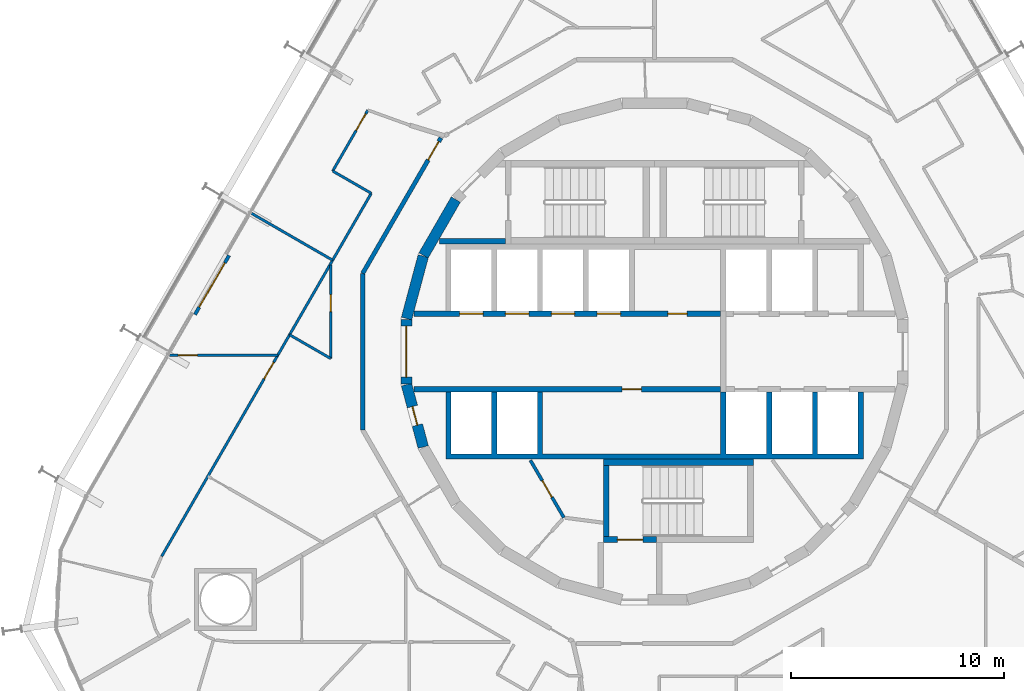
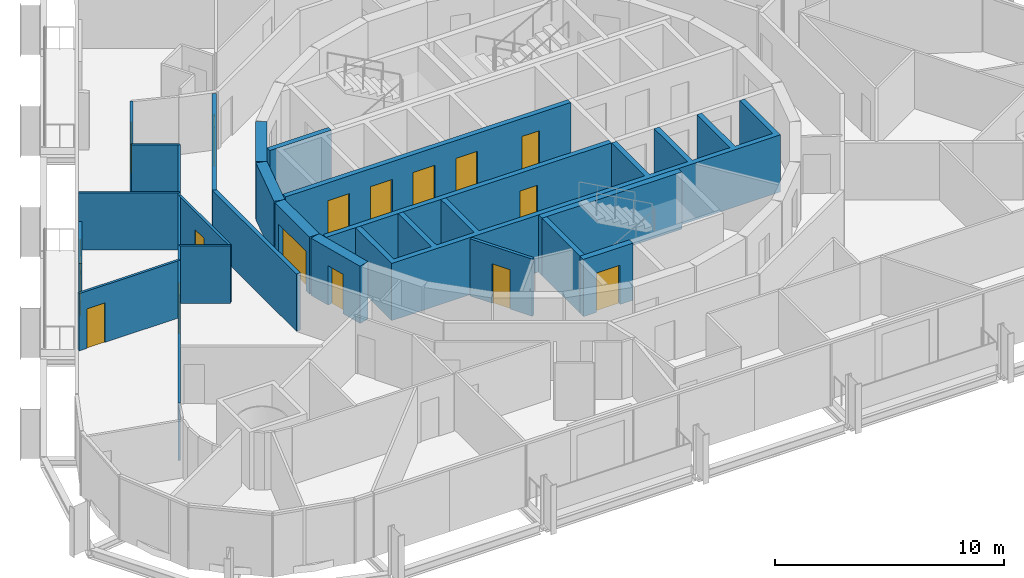
# One storey, part 14 of 20: 23 walls, 16 doors, 16 openings.
"""IFC4 building model written with IfcOpenShell, lengths in metres."""

from ifc_helpers import new_model, si_unit, direction, frame, frame_2d, origin, place, context, subcontext, project, spatial, polyline, rectangle, outline, extrude, material, layer, layer_set, type_object, element, fill, save


model = new_model("IFC4")

# Units and contexts
model_context = context("Model", 3, precision=1e-05, world=origin(), true_north=direction((0.0, 1.0)))
body_context = subcontext(model_context, "Body", "Model", "MODEL_VIEW")
ifc_project = project(units=[si_unit("LENGTHUNIT", "METRE"), si_unit("AREAUNIT", "SQUARE_METRE"), si_unit("VOLUMEUNIT", "CUBIC_METRE"), si_unit("PLANEANGLEUNIT", "RADIAN"), si_unit("MASSUNIT", "GRAM", prefix="KILO")], contexts=[model_context])

# Site, building, storey
site_placement = place(None, origin())
site = spatial("IfcSite", under=ifc_project, at=site_placement, CompositionType="ELEMENT")
building_placement = place(site_placement, origin())
building = spatial("IfcBuilding", under=site, at=building_placement, Name="Spindle Arch Residences", CompositionType="ELEMENT")
storey_placement = place(building_placement, frame((0.0, 0.0, 66.39990234375)))
storey = spatial("IfcBuildingStorey", under=building, at=storey_placement, Name="L15", CompositionType="ELEMENT", Elevation=66.39990234375)

# Walls
ifc_material_1 = material(Name="Concrete C50/60", Category="concrete")
ifc_layer_1 = layer(ifc_material_1, 0.5)
ifc_layer_set_1 = layer_set([ifc_layer_1], Name="Core outline wall 500")
wall_type_1 = type_object("IfcWallType", Name="Core outline wall 500", PredefinedType="SHEAR", material=ifc_layer_set_1)
for number, where, z_axis, x_axis, name in (
    (1, (-9.32861328125, 7.13671875, 0.0), (0.0, 0.0, 1.0), (-0.500087131594, -0.865975092491, 0.0), "Core outline wall 16"),
    (2, (-10.858154296875, 4.479248046875, 0.0), (0.0, 0.0, 1.0), (-0.258734743916, -0.965948410781, 0.0), "Core outline wall 17"),
):
    element("IfcWall", number, at=place(storey_placement, frame(where, z_axis=z_axis, x_axis=x_axis)), inside=storey, type_object=wall_type_1, Name=name, PredefinedType="SHEAR", context=body_context, shape_type="SweptSolid", body=[
        extrude(rectangle(XDim=3.03271484375, YDim=0.5, at=frame_2d((1.516357421875, 0.0))), origin(), (0.0, 0.0, 1.0), 3.050048828125),
    ])

# Wall, opening, door
wall_1_placement = place(storey_placement, frame((-11.647216796875, 1.516357421875, 0.0), z_axis=(0.0, 0.0, 1.0), x_axis=(0.0, -1.0, 0.0)))
wall_1 = element("IfcWall", 3, at=wall_1_placement, inside=storey, type_object=wall_type_1, Name="Core outline wall 18", PredefinedType="SHEAR", context=body_context, shape_type="SweptSolid", body=[
    extrude(rectangle(XDim=3.03271484375, YDim=0.5, at=frame_2d((1.516357421875, 0.0))), origin(), (0.0, 0.0, 1.0), 3.050048828125),
])
opening_1_placement = place(wall_1_placement, frame((0.31640625, 0.0, 0.0)))
opening_1 = element("IfcOpeningElement", 4, at=opening_1_placement, cuts=wall_1, Name="Opening R1C0-LE01", PredefinedType="OPENING", context=body_context, shape_type="SweptSolid", body=[
    extrude(rectangle(XDim=2.39990234375, YDim=2.10009765625, at=frame_2d((1.199951171875, 1.050048828125))), frame((0.0, 0.260009765625, 0.0), z_axis=(0.0, -1.0, 0.0), x_axis=(1.0, 0.0, 0.0)), (0.0, 0.0, 1.0), 0.52001953125),
])
ifc_material_2 = material(Name="Steel, fire-resisting door", Category="steel")
door_type_1 = type_object("IfcDoorType", Name="Lift lobby entrance door 2400x2100", OperationType="DOUBLE_DOOR_SINGLE_SWING", PredefinedType="DOOR", material=ifc_material_2)
door_1_placement = place(opening_1_placement, origin())
door_1 = element("IfcDoor", 5, at=door_1_placement, inside=storey, type_object=door_type_1, Name="Lift lobby entrance door R1C0-LE01", OperationType="DOUBLE_DOOR_SINGLE_SWING", OverallHeight=2.10009765625, OverallWidth=2.39990234375, PredefinedType="DOOR", context=body_context, shape_type="SweptSolid", body=[
    extrude(rectangle(XDim=2.39990234375, YDim=2.10009765625, at=frame_2d((1.199951171875, 1.050048828125))), frame((0.0, 0.02490234375, 0.0), z_axis=(0.0, -1.0, 0.0), x_axis=(1.0, 0.0, 0.0)), (0.0, 0.0, 1.0), 0.050048828125),
])
fill(opening_1, door_1)

wall_2_placement = place(storey_placement, frame((-11.642822265625, -1.5498046875, 0.0), z_axis=(0.0, 0.0, 1.0), x_axis=(0.258734743916, -0.965948410781, 0.0)))
wall_2 = element("IfcWall", 6, at=wall_2_placement, inside=storey, type_object=wall_type_1, Name="Core outline wall 19", PredefinedType="SHEAR", context=body_context, shape_type="SweptSolid", body=[
    extrude(rectangle(XDim=3.03271484375, YDim=0.5, at=frame_2d((1.516357421875, 0.0))), origin(), (0.0, 0.0, 1.0), 3.050048828125),
])
opening_2_placement = place(wall_2_placement, frame((1.06640625, 0.0, 0.0)))
opening_2 = element("IfcOpeningElement", 7, at=opening_2_placement, cuts=wall_2, Name="Opening R1C0-WD08", PredefinedType="OPENING", context=body_context, shape_type="SweptSolid", body=[
    extrude(rectangle(XDim=0.89990234375, YDim=2.10009765625, at=frame_2d((0.449951171875, 1.050048828125))), frame((0.0, 0.260009765625, 0.0), z_axis=(0.0, -1.0, 0.0), x_axis=(1.0, 0.0, 0.0)), (0.0, 0.0, 1.0), 0.52001953125),
])
ifc_material_3 = material(Name="Steel, fire-resisting door", Category="steel")
door_type_2 = type_object("IfcDoorType", Name="Service room door 900x2100", OperationType="SINGLE_SWING_LEFT", PredefinedType="DOOR", material=ifc_material_3)
door_2_placement = place(opening_2_placement, origin())
door_2 = element("IfcDoor", 8, at=door_2_placement, inside=storey, type_object=door_type_2, Name="Service room door R1C0-WD08", OperationType="SINGLE_SWING_LEFT", OverallHeight=2.10009765625, OverallWidth=0.89990234375, PredefinedType="DOOR", context=body_context, shape_type="SweptSolid", body=[
    extrude(rectangle(XDim=0.89990234375, YDim=2.10009765625, at=frame_2d((0.449951171875, 1.050048828125))), frame((0.0, 0.02490234375, 0.0), z_axis=(0.0, -1.0, 0.0), x_axis=(1.0, 0.0, 0.0)), (0.0, 0.0, 1.0), 0.050048828125),
])
fill(opening_2, door_2)

ifc_material_4 = material(Name="Calcium silicate block, plastered")
ifc_layer_2 = layer(ifc_material_4, 0.199951171875)
ifc_layer_set_2 = layer_set([ifc_layer_2], Name="Corridor wall 200")
wall_type_2 = type_object("IfcWallType", Name="Corridor wall 200", PredefinedType="STANDARD", material=ifc_layer_set_2)
wall_3_placement = place(storey_placement, frame((-10.029052734375, 10.029052734375, 0.0), z_axis=(0.0, 0.0, 1.0), x_axis=(-0.500001669485, -0.866024439905, 0.0)))
wall_3 = element("IfcWall", 9, at=wall_3_placement, inside=storey, type_object=wall_type_2, Name="Corridor wall R1C0-W010", PredefinedType="STANDARD", context=body_context, shape_type="SweptSolid", body=[
    extrude(rectangle(XDim=7.341796875, YDim=0.199951171875, at=frame_2d((3.6708984375, 0.0))), origin(), (0.0, 0.0, 1.0), 3.050048828125),
])
opening_3_placement = place(wall_3_placement, frame((0.199951171875, 0.0, 0.0)))
opening_3 = element("IfcOpeningElement", 10, at=opening_3_placement, cuts=wall_3, Name="Opening R1C0-FD03", PredefinedType="OPENING", context=body_context, shape_type="SweptSolid", body=[
    extrude(rectangle(XDim=1.0, YDim=2.10009765625, at=frame_2d((0.5, 1.050048828125))), frame((0.0, 0.10986328125, 0.0), z_axis=(0.0, -1.0, 0.0), x_axis=(1.0, 0.0, 0.0)), (0.0, 0.0, 1.0), 0.219970703125),
])
ifc_material_5 = material(Name="Timber, fire-resisting door set", Category="wood")
door_type_3 = type_object("IfcDoorType", Name="Flat entrance door 1000x2100", OperationType="NOTDEFINED", PredefinedType="DOOR", material=ifc_material_5)
door_3_placement = place(opening_3_placement, origin())
door_3 = element("IfcDoor", 11, at=door_3_placement, inside=storey, type_object=door_type_3, Name="Flat entrance door R1C0-FD03", OperationType="SINGLE_SWING_LEFT", OverallHeight=2.10009765625, OverallWidth=1.0, PredefinedType="DOOR", context=body_context, shape_type="SweptSolid", body=[
    extrude(rectangle(XDim=1.0, YDim=2.10009765625, at=frame_2d((0.5, 1.050048828125))), frame((0.0, 0.02490234375, 0.0), z_axis=(0.0, -1.0, 0.0), x_axis=(1.0, 0.0, 0.0)), (0.0, 0.0, 1.0), 0.050048828125),
])
fill(opening_3, door_3)

# Wall
wall_4_placement = place(storey_placement, frame((-13.699951171875, 3.6708984375, 0.0), z_axis=(0.0, 0.0, 1.0), x_axis=(0.0, -1.0, 0.0)))
element("IfcWall", 12, at=wall_4_placement, inside=storey, type_object=wall_type_2, Name="Corridor wall R1C0-W011", PredefinedType="STANDARD", context=body_context, shape_type="SweptSolid", body=[
    extrude(rectangle(XDim=7.341796875, YDim=0.199951171875, at=frame_2d((3.6708984375, 0.0))), origin(), (0.0, 0.0, 1.0), 3.050048828125),
])

# Wall, opening, door
ifc_material_6 = material(Name="Plasterboard on steel studs", Category="steel")
ifc_layer_3 = layer(ifc_material_6, 0.1201171875)
ifc_layer_set_3 = layer_set([ifc_layer_3], Name="Flat partition 120")
wall_type_3 = type_object("IfcWallType", Name="Flat partition 120", PredefinedType="PARTITIONING", material=ifc_layer_set_3)
wall_5_placement = place(storey_placement, frame((-13.45654296875, 11.33154296875, 0.0), z_axis=(0.0, 0.0, 1.0), x_axis=(-0.499974350878, -0.866040211805, 0.0)))
wall_5 = element("IfcWall", 13, at=wall_5_placement, inside=storey, type_object=wall_type_3, Name="Flat partition R1C0-W064", PredefinedType="PARTITIONING", context=body_context, shape_type="SweptSolid", body=[
    extrude(rectangle(XDim=3.300048828125, YDim=0.1201171875, at=frame_2d((1.64990234375, 0.0))), origin(), (0.0, 0.0, 1.0), 3.050048828125),
])
opening_4_placement = place(wall_5_placement, frame((0.199951171875, 0.0, 0.0)))
opening_4 = element("IfcOpeningElement", 14, at=opening_4_placement, cuts=wall_5, Name="Opening R1C0-ID12", PredefinedType="OPENING", context=body_context, shape_type="SweptSolid", body=[
    extrude(rectangle(XDim=0.89990234375, YDim=2.10009765625, at=frame_2d((0.449951171875, 1.050048828125))), frame((0.0, 0.070068359375, 0.0), z_axis=(0.0, -1.0, 0.0), x_axis=(1.0, 0.0, 0.0)), (0.0, 0.0, 1.0), 0.14013671875),
])
ifc_material_7 = material(Name="Timber door set", Category="wood")
door_type_4 = type_object("IfcDoorType", Name="Room door 900x2100", OperationType="NOTDEFINED", PredefinedType="DOOR", material=ifc_material_7)
door_4_placement = place(opening_4_placement, origin())
door_4 = element("IfcDoor", 15, at=door_4_placement, inside=storey, type_object=door_type_4, Name="Room door R1C0-ID12", OperationType="SINGLE_SWING_LEFT", OverallHeight=2.10009765625, OverallWidth=0.89990234375, PredefinedType="DOOR", context=body_context, shape_type="SweptSolid", body=[
    extrude(rectangle(XDim=0.89990234375, YDim=2.10009765625, at=frame_2d((0.449951171875, 1.050048828125))), frame((0.0, 0.02490234375, 0.0), z_axis=(0.0, -1.0, 0.0), x_axis=(1.0, 0.0, 0.0)), (0.0, 0.0, 1.0), 0.050048828125),
])
fill(opening_4, door_4)

# Walls
wall_6_placement = place(storey_placement, frame((-15.1064453125, 8.4736328125, 0.0), z_axis=(0.0, 0.0, 1.0), x_axis=(0.866041603473, -0.499971940267, 0.0)))
element("IfcWall", 16, at=wall_6_placement, inside=storey, type_object=wall_type_3, Name="Flat partition R1C0-W065", PredefinedType="PARTITIONING", context=body_context, shape_type="SweptSolid", body=[
    extrude(rectangle(XDim=2.08935546875, YDim=0.1201171875, at=frame_2d((1.044677734375, 0.0))), origin(), (0.0, 0.0, 1.0), 3.050048828125),
])
wall_7_placement = place(storey_placement, frame((-13.296875, 7.428955078125, 0.0), z_axis=(0.0, 0.0, 1.0), x_axis=(-0.49999903102, -0.866025963225, 0.0)))
element("IfcWall", 17, at=wall_7_placement, inside=storey, type_object=wall_type_3, Name="Flat partition R1C0-W066", PredefinedType="PARTITIONING", context=body_context, shape_type="SweptSolid", body=[
    extrude(rectangle(XDim=7.66650390625, YDim=0.1201171875, at=frame_2d((3.833251953125, 0.0))), origin(), (0.0, 0.0, 1.0), 3.050048828125),
])

# Wall, opening, door
wall_8_placement = place(storey_placement, frame((-17.130126953125, 0.78955078125, 0.0), z_axis=(0.0, 0.0, 1.0), x_axis=(-0.499997052475, -0.866027105532, 0.0)))
wall_8 = element("IfcWall", 18, at=wall_8_placement, inside=storey, type_object=wall_type_3, Name="Flat partition R1C0-W067", PredefinedType="PARTITIONING", context=body_context, shape_type="SweptSolid", body=[
    extrude(rectangle(XDim=12.005859375, YDim=0.1201171875, at=frame_2d((6.0029296875, 0.0))), origin(), (0.0, 0.0, 1.0), 3.050048828125),
])
opening_5_placement = place(wall_8_placement, frame((1.498291015625, 0.0, 0.0)))
opening_5 = element("IfcOpeningElement", 19, at=opening_5_placement, cuts=wall_8, Name="Opening R1C0-ID13", PredefinedType="OPENING", context=body_context, shape_type="SweptSolid", body=[
    extrude(rectangle(XDim=0.89990234375, YDim=2.10009765625, at=frame_2d((0.449951171875, 1.050048828125))), frame((0.0, 0.070068359375, 0.0), z_axis=(0.0, -1.0, 0.0), x_axis=(1.0, 0.0, 0.0)), (0.0, 0.0, 1.0), 0.14013671875),
])
door_5_placement = place(opening_5_placement, origin())
door_5 = element("IfcDoor", 20, at=door_5_placement, inside=storey, type_object=door_type_4, Name="Room door R1C0-ID13", OperationType="SINGLE_SWING_RIGHT", OverallHeight=2.10009765625, OverallWidth=0.89990234375, PredefinedType="DOOR", context=body_context, shape_type="SweptSolid", body=[
    extrude(rectangle(XDim=0.89990234375, YDim=2.10009765625, at=frame_2d((0.449951171875, 1.050048828125))), frame((0.0, 0.02490234375, 0.0), z_axis=(0.0, -1.0, 0.0), x_axis=(1.0, 0.0, 0.0)), (0.0, 0.0, 1.0), 0.050048828125),
])
fill(opening_5, door_5)

wall_9_placement = place(storey_placement, frame((-15.199951171875, 4.07275390625, 0.0), z_axis=(0.0, 0.0, 1.0), x_axis=(0.0, -1.0, 0.0)))
wall_9 = element("IfcWall", 21, at=wall_9_placement, inside=storey, type_object=wall_type_3, Name="Flat partition R1C0-W068", PredefinedType="PARTITIONING", context=body_context, shape_type="SweptSolid", body=[
    extrude(rectangle(XDim=4.397705078125, YDim=0.1201171875, at=frame_2d((2.19873046875, 0.0))), origin(), (0.0, 0.0, 1.0), 3.050048828125),
])
opening_6_placement = place(wall_9_placement, frame((1.39990234375, 0.0, 0.0)))
opening_6 = element("IfcOpeningElement", 22, at=opening_6_placement, cuts=wall_9, Name="Opening R1C0-BD04", PredefinedType="OPENING", context=body_context, shape_type="SweptSolid", body=[
    extrude(rectangle(XDim=0.800048828125, YDim=2.10009765625, at=frame_2d((0.39990234375, 1.050048828125))), frame((0.0, 0.070068359375, 0.0), z_axis=(0.0, -1.0, 0.0), x_axis=(1.0, 0.0, 0.0)), (0.0, 0.0, 1.0), 0.14013671875),
])
ifc_material_8 = material(Name="Timber door set", Category="wood")
door_type_5 = type_object("IfcDoorType", Name="Bathroom door 800x2100", OperationType="NOTDEFINED", PredefinedType="DOOR", material=ifc_material_8)
door_6_placement = place(opening_6_placement, origin())
door_6 = element("IfcDoor", 23, at=door_6_placement, inside=storey, type_object=door_type_5, Name="Bathroom door R1C0-BD04", OperationType="SINGLE_SWING_RIGHT", OverallHeight=2.10009765625, OverallWidth=0.800048828125, PredefinedType="DOOR", context=body_context, shape_type="SweptSolid", body=[
    extrude(rectangle(XDim=0.800048828125, YDim=2.10009765625, at=frame_2d((0.39990234375, 1.050048828125))), frame((0.0, 0.02490234375, 0.0), z_axis=(0.0, -1.0, 0.0), x_axis=(1.0, 0.0, 0.0)), (0.0, 0.0, 1.0), 0.050048828125),
])
fill(opening_6, door_6)

# Walls
wall_10_placement = place(storey_placement, frame((-15.199951171875, -0.324951171875, 0.0), z_axis=(0.0, 0.0, 1.0), x_axis=(-0.866003168561, 0.500038510559, 0.0)))
element("IfcWall", 24, at=wall_10_placement, inside=storey, type_object=wall_type_3, Name="Flat partition R1C0-W069", PredefinedType="PARTITIONING", context=body_context, shape_type="SweptSolid", body=[
    extrude(rectangle(XDim=2.228759765625, YDim=0.1201171875, at=frame_2d((1.1142578125, 0.0))), origin(), (0.0, 0.0, 1.0), 3.050048828125),
])
wall_11_placement = place(storey_placement, frame((-18.919921875, 6.489501953125, 0.0), z_axis=(0.0, 0.0, 1.0), x_axis=(0.865994303029, -0.500053864221, 0.0)))
element("IfcWall", 25, at=wall_11_placement, inside=storey, type_object=wall_type_3, Name="Flat partition R1C0-W071", PredefinedType="PARTITIONING", context=body_context, shape_type="SweptSolid", body=[
    extrude(rectangle(XDim=4.39990234375, YDim=0.1201171875, at=frame_2d((2.199951171875, 0.0))), origin(), (0.0, 0.0, 1.0), 3.050048828125),
])

# Wall, opening, door
wall_12_placement = place(storey_placement, frame((-22.760009765625, -0.161865234375, 0.0), z_axis=(0.0, 0.0, 1.0), x_axis=(1.0, 0.0, 0.0)))
wall_12 = element("IfcWall", 26, at=wall_12_placement, inside=storey, type_object=wall_type_3, Name="Flat partition R1C0-W072", PredefinedType="PARTITIONING", context=body_context, shape_type="SweptSolid", body=[
    extrude(rectangle(XDim=5.08056640625, YDim=0.1201171875, at=frame_2d((2.540283203125, 0.0))), origin(), (0.0, 0.0, 1.0), 3.050048828125),
])
opening_7_placement = place(wall_12_placement, frame((0.39990234375, 0.0, 0.0)))
opening_7 = element("IfcOpeningElement", 27, at=opening_7_placement, cuts=wall_12, Name="Opening R1C0-ID15", PredefinedType="OPENING", context=body_context, shape_type="SweptSolid", body=[
    extrude(rectangle(XDim=0.89990234375, YDim=2.10009765625, at=frame_2d((0.449951171875, 1.050048828125))), frame((0.0, 0.070068359375, 0.0), z_axis=(0.0, -1.0, 0.0), x_axis=(1.0, 0.0, 0.0)), (0.0, 0.0, 1.0), 0.14013671875),
])
door_7_placement = place(opening_7_placement, origin())
door_7 = element("IfcDoor", 28, at=door_7_placement, inside=storey, type_object=door_type_4, Name="Room door R1C0-ID15", OperationType="SINGLE_SWING_LEFT", OverallHeight=2.10009765625, OverallWidth=0.89990234375, PredefinedType="DOOR", context=body_context, shape_type="SweptSolid", body=[
    extrude(rectangle(XDim=0.89990234375, YDim=2.10009765625, at=frame_2d((0.449951171875, 1.050048828125))), frame((0.0, 0.02490234375, 0.0), z_axis=(0.0, -1.0, 0.0), x_axis=(1.0, 0.0, 0.0)), (0.0, 0.0, 1.0), 0.050048828125),
])
fill(opening_7, door_7)

ifc_material_9 = material(Name="Non-combustible mineral wool insulated aluminium faced external wall (K0)", Category="aluminium")
ifc_layer_4 = layer(ifc_material_9, 0.159912109375)
ifc_layer_set_4 = layer_set([ifc_layer_4], Name="Insulated external wall panel 160")
wall_type_4 = type_object("IfcWallType", Name="Insulated external wall panel 160", PredefinedType="STANDARD", material=ifc_layer_set_4)
wall_13_placement = place(storey_placement, frame((-19.970703125, 4.509521484375, 0.0), z_axis=(0.0, 0.0, 1.0), x_axis=(-0.500028443584, -0.866008981251, 0.0)))
wall_13 = element("IfcWall", 29, at=wall_13_placement, inside=storey, type_object=wall_type_4, Name="External wall L15 bay 17", PredefinedType="STANDARD", context=body_context, shape_type="SweptSolid", body=[
    extrude(rectangle(XDim=3.199951171875, YDim=0.159912109375, at=frame_2d((1.60009765625, 0.0))), origin(), (0.0, 0.0, 1.0), 3.050048828125),
])
opening_8_placement = place(wall_13_placement, frame((0.39990234375, 0.0, 0.0)))
opening_8 = element("IfcOpeningElement", 30, at=opening_8_placement, cuts=wall_13, Name="Opening BD17", PredefinedType="OPENING", context=body_context, shape_type="SweptSolid", body=[
    extrude(rectangle(XDim=2.39990234375, YDim=2.39990234375, at=frame_2d((1.199951171875, 1.199951171875))), frame((0.0, 0.08984375, 0.0), z_axis=(0.0, -1.0, 0.0), x_axis=(1.0, 0.0, 0.0)), (0.0, 0.0, 1.0), 0.179931640625),
])
ifc_material_10 = material(Name="Bronze aluminium frame, tinted double glazing", Category="aluminium")
door_type_6 = type_object("IfcDoorType", Name="Sliding glazed balcony door 2400x2400", OperationType="DOUBLE_DOOR_SLIDING", PredefinedType="DOOR", material=ifc_material_10)
door_8_placement = place(opening_8_placement, origin())
door_8 = element("IfcDoor", 31, at=door_8_placement, inside=storey, type_object=door_type_6, Name="Balcony door BD17", OperationType="DOUBLE_DOOR_SLIDING", OverallHeight=2.39990234375, OverallWidth=2.39990234375, PredefinedType="DOOR", context=body_context, shape_type="SweptSolid", body=[
    extrude(rectangle(XDim=2.39990234375, YDim=2.39990234375, at=frame_2d((1.199951171875, 1.199951171875))), frame((0.0, 0.02490234375, 0.0), z_axis=(0.0, -1.0, 0.0), x_axis=(1.0, 0.0, 0.0)), (0.0, 0.0, 1.0), 0.050048828125),
])
fill(opening_8, door_8)

# Wall, openings, doors
ifc_material_11 = material(Name="Concrete C50/60", Category="concrete")
ifc_layer_5 = layer(ifc_material_11, 0.25)
ifc_layer_set_5 = layer_set([ifc_layer_5], Name="Lift shaft wall 250")
wall_type_5 = type_object("IfcWallType", Name="Lift shaft wall 250", PredefinedType="SHEAR", material=ifc_layer_set_5)
wall_14_placement = place(storey_placement, frame((-11.280029296875, 1.77490234375, 0.0), z_axis=(0.0, 0.0, 1.0), x_axis=(1.0, 0.0, 0.0)))
wall_14 = element("IfcWall", 32, at=wall_14_placement, inside=storey, type_object=wall_type_5, Name="Lift shaft front wall NW", PredefinedType="SHEAR", context=body_context, shape_type="SweptSolid", body=[
    extrude(rectangle(XDim=14.380126953125, YDim=0.25, at=frame_2d((7.18994140625, 0.0))), origin(), (0.0, 0.0, 1.0), 3.050048828125),
])
opening_9_placement = place(wall_14_placement, frame((2.1298828125, 0.0, 0.0)))
opening_9 = element("IfcOpeningElement", 33, at=opening_9_placement, cuts=wall_14, Name="Opening R1C0-LD01", PredefinedType="OPENING", context=body_context, shape_type="SweptSolid", body=[
    extrude(rectangle(XDim=1.10009765625, YDim=2.10009765625, at=frame_2d((0.550048828125, 1.050048828125))), frame((0.0, 0.135009765625, 0.0), z_axis=(0.0, -1.0, 0.0), x_axis=(1.0, 0.0, 0.0)), (0.0, 0.0, 1.0), 0.27001953125),
])
opening_10_placement = place(wall_14_placement, frame((4.280029296875, 0.0, 0.0)))
opening_10 = element("IfcOpeningElement", 34, at=opening_10_placement, cuts=wall_14, Name="Opening R1C0-LD02", PredefinedType="OPENING", context=body_context, shape_type="SweptSolid", body=[
    extrude(rectangle(XDim=1.10009765625, YDim=2.10009765625, at=frame_2d((0.550048828125, 1.050048828125))), frame((0.0, 0.135009765625, 0.0), z_axis=(0.0, -1.0, 0.0), x_axis=(1.0, 0.0, 0.0)), (0.0, 0.0, 1.0), 0.27001953125),
])
opening_11_placement = place(wall_14_placement, frame((6.429931640625, 0.0, 0.0)))
opening_11 = element("IfcOpeningElement", 35, at=opening_11_placement, cuts=wall_14, Name="Opening R1C0-LD03", PredefinedType="OPENING", context=body_context, shape_type="SweptSolid", body=[
    extrude(rectangle(XDim=1.10009765625, YDim=2.10009765625, at=frame_2d((0.550048828125, 1.050048828125))), frame((0.0, 0.135009765625, 0.0), z_axis=(0.0, -1.0, 0.0), x_axis=(1.0, 0.0, 0.0)), (0.0, 0.0, 1.0), 0.27001953125),
])
opening_12_placement = place(wall_14_placement, frame((8.580078125, 0.0, 0.0)))
opening_12 = element("IfcOpeningElement", 36, at=opening_12_placement, cuts=wall_14, Name="Opening R1C0-LD04", PredefinedType="OPENING", context=body_context, shape_type="SweptSolid", body=[
    extrude(rectangle(XDim=1.10009765625, YDim=2.10009765625, at=frame_2d((0.550048828125, 1.050048828125))), frame((0.0, 0.135009765625, 0.0), z_axis=(0.0, -1.0, 0.0), x_axis=(1.0, 0.0, 0.0)), (0.0, 0.0, 1.0), 0.27001953125),
])
opening_13_placement = place(wall_14_placement, frame((11.905029296875, 0.0, 0.0)))
opening_13 = element("IfcOpeningElement", 37, at=opening_13_placement, cuts=wall_14, Name="Opening R1C0-WD01", PredefinedType="OPENING", context=body_context, shape_type="SweptSolid", body=[
    extrude(rectangle(XDim=0.89990234375, YDim=2.10009765625, at=frame_2d((0.449951171875, 1.050048828125))), frame((0.0, 0.135009765625, 0.0), z_axis=(0.0, -1.0, 0.0), x_axis=(1.0, 0.0, 0.0)), (0.0, 0.0, 1.0), 0.27001953125),
])
ifc_material_12 = material(Name="Steel, fire-resisting landing door", Category="steel")
door_type_7 = type_object("IfcDoorType", Name="Lift landing door 1100x2100", OperationType="DOUBLE_DOOR_SLIDING", PredefinedType="DOOR", material=ifc_material_12)
door_9_placement = place(opening_9_placement, origin())
door_9 = element("IfcDoor", 38, at=door_9_placement, inside=storey, type_object=door_type_7, Name="Lift landing door R1C0-LD01", OperationType="DOUBLE_DOOR_SLIDING", OverallHeight=2.10009765625, OverallWidth=1.10009765625, PredefinedType="DOOR", context=body_context, shape_type="SweptSolid", body=[
    extrude(rectangle(XDim=1.10009765625, YDim=2.10009765625, at=frame_2d((0.550048828125, 1.050048828125))), frame((0.0, 0.02490234375, 0.0), z_axis=(0.0, -1.0, 0.0), x_axis=(1.0, 0.0, 0.0)), (0.0, 0.0, 1.0), 0.050048828125),
])
fill(opening_9, door_9)
door_10_placement = place(opening_10_placement, origin())
door_10 = element("IfcDoor", 39, at=door_10_placement, inside=storey, type_object=door_type_7, Name="Lift landing door R1C0-LD02", OperationType="DOUBLE_DOOR_SLIDING", OverallHeight=2.10009765625, OverallWidth=1.10009765625, PredefinedType="DOOR", context=body_context, shape_type="SweptSolid", body=[
    extrude(rectangle(XDim=1.10009765625, YDim=2.10009765625, at=frame_2d((0.550048828125, 1.050048828125))), frame((0.0, 0.02490234375, 0.0), z_axis=(0.0, -1.0, 0.0), x_axis=(1.0, 0.0, 0.0)), (0.0, 0.0, 1.0), 0.050048828125),
])
fill(opening_10, door_10)
door_11_placement = place(opening_11_placement, origin())
door_11 = element("IfcDoor", 40, at=door_11_placement, inside=storey, type_object=door_type_7, Name="Lift landing door R1C0-LD03", OperationType="DOUBLE_DOOR_SLIDING", OverallHeight=2.10009765625, OverallWidth=1.10009765625, PredefinedType="DOOR", context=body_context, shape_type="SweptSolid", body=[
    extrude(rectangle(XDim=1.10009765625, YDim=2.10009765625, at=frame_2d((0.550048828125, 1.050048828125))), frame((0.0, 0.02490234375, 0.0), z_axis=(0.0, -1.0, 0.0), x_axis=(1.0, 0.0, 0.0)), (0.0, 0.0, 1.0), 0.050048828125),
])
fill(opening_11, door_11)
door_12_placement = place(opening_12_placement, origin())
door_12 = element("IfcDoor", 41, at=door_12_placement, inside=storey, type_object=door_type_7, Name="Lift landing door R1C0-LD04", OperationType="DOUBLE_DOOR_SLIDING", OverallHeight=2.10009765625, OverallWidth=1.10009765625, PredefinedType="DOOR", context=body_context, shape_type="SweptSolid", body=[
    extrude(rectangle(XDim=1.10009765625, YDim=2.10009765625, at=frame_2d((0.550048828125, 1.050048828125))), frame((0.0, 0.02490234375, 0.0), z_axis=(0.0, -1.0, 0.0), x_axis=(1.0, 0.0, 0.0)), (0.0, 0.0, 1.0), 0.050048828125),
])
fill(opening_12, door_12)
door_13_placement = place(opening_13_placement, origin())
door_13 = element("IfcDoor", 42, at=door_13_placement, inside=storey, type_object=door_type_2, Name="Service room door R1C0-WD01", OperationType="SINGLE_SWING_RIGHT", OverallHeight=2.10009765625, OverallWidth=0.89990234375, PredefinedType="DOOR", context=body_context, shape_type="SweptSolid", body=[
    extrude(rectangle(XDim=0.89990234375, YDim=2.10009765625, at=frame_2d((0.449951171875, 1.050048828125))), frame((0.0, 0.02490234375, 0.0), z_axis=(0.0, -1.0, 0.0), x_axis=(1.0, 0.0, 0.0)), (0.0, 0.0, 1.0), 0.050048828125),
])
fill(opening_13, door_13)

# Wall, opening, door
wall_15_placement = place(storey_placement, frame((-11.280029296875, -1.77490234375, 0.0), z_axis=(0.0, 0.0, 1.0), x_axis=(1.0, 0.0, 0.0)))
wall_15 = element("IfcWall", 43, at=wall_15_placement, inside=storey, type_object=wall_type_5, Name="Lift shaft front wall SW", PredefinedType="SHEAR", context=body_context, shape_type="SweptSolid", body=[
    extrude(rectangle(XDim=14.380126953125, YDim=0.25, at=frame_2d((7.18994140625, 0.0))), origin(), (0.0, 0.0, 1.0), 3.050048828125),
])
opening_14_placement = place(wall_15_placement, frame((9.7548828125, 0.0, 0.0)))
opening_14 = element("IfcOpeningElement", 44, at=opening_14_placement, cuts=wall_15, Name="Opening R1C0-WD03", PredefinedType="OPENING", context=body_context, shape_type="SweptSolid", body=[
    extrude(rectangle(XDim=0.89990234375, YDim=2.10009765625, at=frame_2d((0.449951171875, 1.050048828125))), frame((0.0, 0.135009765625, 0.0), z_axis=(0.0, -1.0, 0.0), x_axis=(1.0, 0.0, 0.0)), (0.0, 0.0, 1.0), 0.27001953125),
])
door_14_placement = place(opening_14_placement, origin())
door_14 = element("IfcDoor", 45, at=door_14_placement, inside=storey, type_object=door_type_2, Name="Service room door R1C0-WD03", OperationType="SINGLE_SWING_RIGHT", OverallHeight=2.10009765625, OverallWidth=0.89990234375, PredefinedType="DOOR", context=body_context, shape_type="SweptSolid", body=[
    extrude(rectangle(XDim=0.89990234375, YDim=2.10009765625, at=frame_2d((0.449951171875, 1.050048828125))), frame((0.0, 0.02490234375, 0.0), z_axis=(0.0, -1.0, 0.0), x_axis=(1.0, 0.0, 0.0)), (0.0, 0.0, 1.0), 0.050048828125),
])
fill(opening_14, door_14)

# Wall
ifc_material_13 = material(Name="Concrete C50/60", Category="concrete")
wall_type_6 = type_object("IfcWallType", Name="Lift shaft wall profile", PredefinedType="SHEAR", material=ifc_material_13)
wall_16_placement = place(storey_placement, origin())
element("IfcWall", 46, at=wall_16_placement, inside=storey, type_object=wall_type_6, Name="Lift shaft walls S", PredefinedType="SHEAR", context=body_context, shape_type="SweptSolid", body=[
    extrude(outline(polyline([(9.800048828125, -5.050048828125), (9.800048828125, -4.800048828125), (9.800048828125, -1.89990234375), (9.550048828125, -1.89990234375), (9.550048828125, -4.800048828125), (7.64990234375, -4.800048828125), (7.64990234375, -1.89990234375), (7.39990234375, -1.89990234375), (7.39990234375, -4.800048828125), (5.5, -4.800048828125), (5.5, -1.89990234375), (5.25, -1.89990234375), (5.25, -4.800048828125), (3.35009765625, -4.800048828125), (3.35009765625, -1.89990234375), (3.10009765625, -1.89990234375), (3.10009765625, -4.800048828125), (-5.25, -4.800048828125), (-5.25, -1.89990234375), (-5.5, -1.89990234375), (-5.5, -4.800048828125), (-7.39990234375, -4.800048828125), (-7.39990234375, -1.89990234375), (-7.64990234375, -1.89990234375), (-7.64990234375, -4.800048828125), (-9.550048828125, -4.800048828125), (-9.550048828125, -1.89990234375), (-9.800048828125, -1.89990234375), (-9.800048828125, -4.800048828125), (-9.800048828125, -5.050048828125), (9.800048828125, -5.050048828125)])), origin(), (0.0, 0.0, 1.0), 3.050048828125),
])

# Wall, opening, door
ifc_material_14 = material(Name="Concrete C25/30", Category="concrete")
ifc_layer_6 = layer(ifc_material_14, 0.14990234375)
ifc_layer_set_6 = layer_set([ifc_layer_6], Name="Service room partition 150")
wall_type_7 = type_object("IfcWallType", Name="Service room partition 150", PredefinedType="PARTITIONING", material=ifc_layer_set_6)
wall_17_placement = place(storey_placement, frame((-5.8291015625, -5.101806640625, 0.0), z_axis=(0.0, 0.0, 1.0), x_axis=(0.504480008384, -0.863423373057, 0.0)))
wall_17 = element("IfcWall", 47, at=wall_17_placement, inside=storey, type_object=wall_type_7, Name="Core service room partition", PredefinedType="PARTITIONING", context=body_context, shape_type="SweptSolid", body=[
    extrude(rectangle(XDim=3.115234375, YDim=0.14990234375, at=frame_2d((1.5576171875, 0.0))), origin(), (0.0, 0.0, 1.0), 3.050048828125),
])
opening_15_placement = place(wall_17_placement, frame((1.107421875, 0.0, 0.0)))
opening_15 = element("IfcOpeningElement", 48, at=opening_15_placement, cuts=wall_17, Name="Opening R1C0-WD05", PredefinedType="OPENING", context=body_context, shape_type="SweptSolid", body=[
    extrude(rectangle(XDim=0.89990234375, YDim=2.10009765625, at=frame_2d((0.449951171875, 1.050048828125))), frame((0.0, 0.0849609375, 0.0), z_axis=(0.0, -1.0, 0.0), x_axis=(1.0, 0.0, 0.0)), (0.0, 0.0, 1.0), 0.169921875),
])
door_15_placement = place(opening_15_placement, origin())
door_15 = element("IfcDoor", 49, at=door_15_placement, inside=storey, type_object=door_type_2, Name="Service room door R1C0-WD05", OperationType="SINGLE_SWING_RIGHT", OverallHeight=2.10009765625, OverallWidth=0.89990234375, PredefinedType="DOOR", context=body_context, shape_type="SweptSolid", body=[
    extrude(rectangle(XDim=0.89990234375, YDim=2.10009765625, at=frame_2d((0.449951171875, 1.050048828125))), frame((0.0, 0.02490234375, 0.0), z_axis=(0.0, -1.0, 0.0), x_axis=(1.0, 0.0, 0.0)), (0.0, 0.0, 1.0), 0.050048828125),
])
fill(opening_15, door_15)

# Walls
ifc_material_15 = material(Name="Concrete C40/50", Category="concrete")
ifc_layer_7 = layer(ifc_material_15, 0.25)
ifc_layer_set_7 = layer_set([ifc_layer_7], Name="Stair airlock wall 250")
wall_type_8 = type_object("IfcWallType", Name="Stair airlock wall 250", PredefinedType="SHEAR", material=ifc_layer_set_7)
wall_18_placement = place(storey_placement, frame((-7.0, 5.175048828125, 0.0), z_axis=(0.0, 0.0, 1.0), x_axis=(-1.0, 0.0, 0.0)))
element("IfcWall", 50, at=wall_18_placement, inside=storey, type_object=wall_type_8, Name="Stair ST-2 airlock wall S", PredefinedType="SHEAR", context=body_context, shape_type="SweptSolid", body=[
    extrude(rectangle(XDim=3.10009765625, YDim=0.25, at=frame_2d((1.550048828125, 0.0))), origin(), (0.0, 0.0, 1.0), 3.050048828125),
])
ifc_material_16 = material(Name="Concrete C50/60", Category="concrete")
ifc_layer_8 = layer(ifc_material_16, 0.25)
ifc_layer_set_8 = layer_set([ifc_layer_8], Name="Stair enclosure wall 250")
wall_type_9 = type_object("IfcWallType", Name="Stair enclosure wall 250", PredefinedType="SHEAR", material=ifc_layer_set_8)
wall_19_placement = place(storey_placement, frame((-2.27490234375, -8.669921875, 0.0), z_axis=(0.0, 0.0, 1.0), x_axis=(0.0, 1.0, 0.0)))
element("IfcWall", 51, at=wall_19_placement, inside=storey, type_object=wall_type_9, Name="Stair ST-3 enclosure wall W", PredefinedType="SHEAR", context=body_context, shape_type="SweptSolid", body=[
    extrude(rectangle(XDim=3.31982421875, YDim=0.25, at=frame_2d((1.659912109375, 0.0))), origin(), (0.0, 0.0, 1.0), 3.050048828125),
])
ifc_material_17 = material(Name="Concrete C50/60", Category="concrete")
ifc_layer_9 = layer(ifc_material_17, 0.300048828125)
ifc_layer_set_9 = layer_set([ifc_layer_9], Name="Stair enclosure wall 300")
wall_type_10 = type_object("IfcWallType", Name="Stair enclosure wall 300", PredefinedType="SHEAR", material=ifc_layer_set_9)
wall_20_placement = place(storey_placement, frame((-2.39990234375, -5.199951171875, 0.0), z_axis=(0.0, 0.0, 1.0), x_axis=(1.0, 0.0, 0.0)))
element("IfcWall", 52, at=wall_20_placement, inside=storey, type_object=wall_type_10, Name="Stair ST-3 enclosure wall N", PredefinedType="SHEAR", context=body_context, shape_type="SweptSolid", body=[
    extrude(rectangle(XDim=7.0498046875, YDim=0.300048828125, at=frame_2d((3.52490234375, 0.0))), origin(), (0.0, 0.0, 1.0), 3.050048828125),
])

# Wall, opening, door
wall_21_placement = place(storey_placement, frame((-2.39990234375, -8.820068359375, 0.0), z_axis=(0.0, 0.0, 1.0), x_axis=(1.0, 0.0, 0.0)))
wall_21 = element("IfcWall", 53, at=wall_21_placement, inside=storey, type_object=wall_type_10, Name="Stair ST-3 door wall", PredefinedType="SHEAR", context=body_context, shape_type="SweptSolid", body=[
    extrude(rectangle(XDim=2.5, YDim=0.300048828125, at=frame_2d((1.25, 0.0))), origin(), (0.0, 0.0, 1.0), 3.050048828125),
])
opening_16_placement = place(wall_21_placement, frame((0.64990234375, 0.0, 0.0)))
opening_16 = element("IfcOpeningElement", 54, at=opening_16_placement, cuts=wall_21, Name="Opening R1C0-SD03", PredefinedType="OPENING", context=body_context, shape_type="SweptSolid", body=[
    extrude(rectangle(XDim=1.199951171875, YDim=2.10009765625, at=frame_2d((0.60009765625, 1.050048828125))), frame((0.0, 0.16015625, 0.0), z_axis=(0.0, -1.0, 0.0), x_axis=(1.0, 0.0, 0.0)), (0.0, 0.0, 1.0), 0.320068359375),
])
ifc_material_18 = material(Name="Steel, fire-resisting door", Category="steel")
door_type_8 = type_object("IfcDoorType", Name="Stair door 1200x2100", OperationType="SINGLE_SWING_RIGHT", PredefinedType="DOOR", material=ifc_material_18)
door_16_placement = place(opening_16_placement, origin())
door_16 = element("IfcDoor", 55, at=door_16_placement, inside=storey, type_object=door_type_8, Name="Stair door R1C0-SD03", OperationType="SINGLE_SWING_LEFT", OverallHeight=2.10009765625, OverallWidth=1.199951171875, PredefinedType="DOOR", context=body_context, shape_type="SweptSolid", body=[
    extrude(rectangle(XDim=1.199951171875, YDim=2.10009765625, at=frame_2d((0.60009765625, 1.050048828125))), frame((0.0, 0.02490234375, 0.0), z_axis=(0.0, -1.0, 0.0), x_axis=(1.0, 0.0, 0.0)), (0.0, 0.0, 1.0), 0.050048828125),
])
fill(opening_16, door_16)

save(model, "model.ifc")
